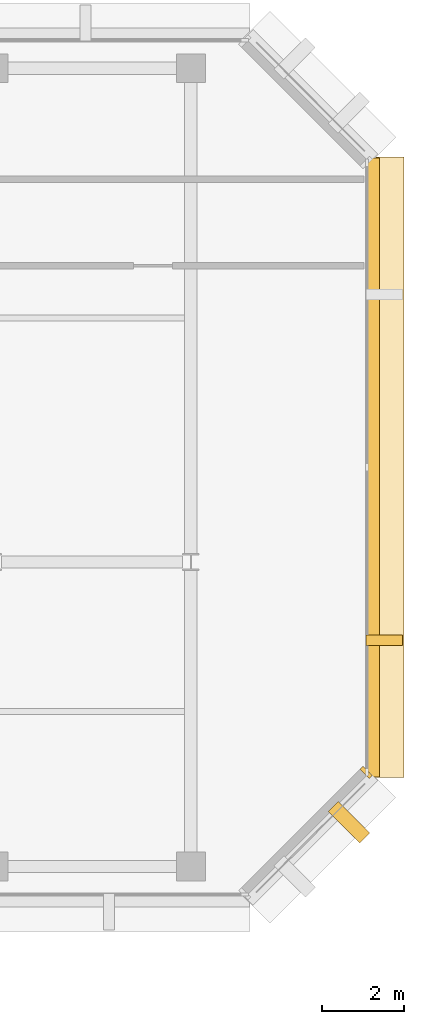
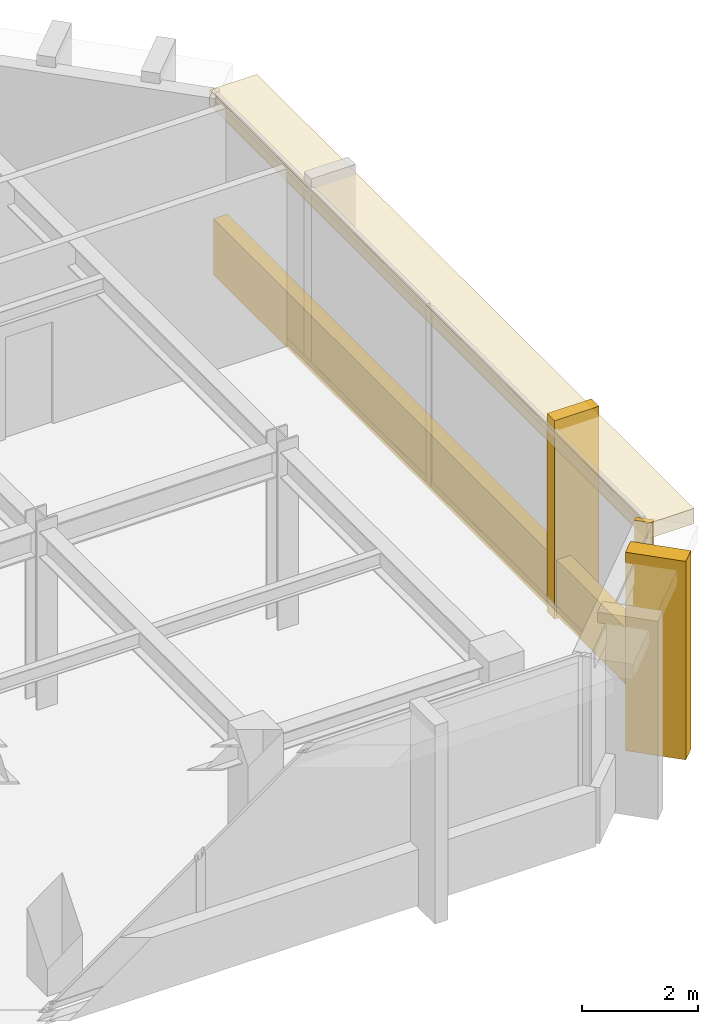
# One storey, part 10 of 12: 5 coverings.
"""IFC4 building model written with IfcOpenShell, lengths in metres."""

from ifc_helpers import new_model, si_unit, direction, frame, origin, origin_2d, place, context, subcontext, project, spatial, rectangle, extrude, material, layer, layer_set, type_object, element, save


model = new_model("IFC4")

# Units and contexts
model_context = context("Model", 3, precision=1e-05, world=origin(), true_north=direction((0.0, 1.0)))
body_context = subcontext(model_context, "Body", "Model", "MODEL_VIEW")
ifc_project = project(units=[si_unit("LENGTHUNIT", "METRE"), si_unit("AREAUNIT", "SQUARE_METRE"), si_unit("VOLUMEUNIT", "CUBIC_METRE"), si_unit("PLANEANGLEUNIT", "RADIAN"), si_unit("MASSUNIT", "GRAM", prefix="KILO")], contexts=[model_context])

# Site, building, storey
site_placement = place(None, origin())
site = spatial("IfcSite", under=ifc_project, at=site_placement, CompositionType="ELEMENT")
building_placement = place(site_placement, origin())
building = spatial("IfcBuilding", under=site, at=building_placement, Name="Kefirva Bronze Tower", CompositionType="ELEMENT")
storey_placement = place(building_placement, frame((0.0, 0.0, 339.570068359375)))
storey = spatial("IfcBuildingStorey", under=building, at=storey_placement, Name="L83", CompositionType="ELEMENT", Elevation=339.570068359375)

# Coverings
ifc_material = material(Name="Bronze anodised aluminium", Category="aluminium")
ifc_layer_1 = layer(ifc_material, 0.02001953125, Name="Bronze anodised aluminium")
ifc_layer_set_1 = layer_set([ifc_layer_1], Name="Bronze anodised aluminium")
covering_type_1 = type_object("IfcCoveringType", Name="Anodised Bronze Spandrel Cladding 20mm", PredefinedType="CLADDING", material=ifc_layer_set_1)
covering_1_placement = place(storey_placement, frame((44.26220703125, 28.08837890625, 0.0), z_axis=(0.0, 0.0, 1.0), x_axis=(0.707106781187, 0.707106781187, 0.0)))
element("IfcCovering", 1, at=covering_1_placement, inside=storey, type_object=covering_type_1, Name="L83 Facade Joint Closure Panel 7E", PredefinedType="CLADDING", context=body_context, shape_type="SweptSolid", body=[
    extrude(rectangle(XDim=0.10009765625, YDim=0.320068359375, at=origin_2d()), origin(), (0.0, 0.0, 1.0), 3.739990234375),
])
covering_2_placement = place(storey_placement, frame((44.43994140625, 35.5, -0.16015625), z_axis=(0.0, 0.0, 1.0), x_axis=(0.0, 1.0, 0.0)))
element("IfcCovering", 2, at=covering_2_placement, inside=storey, type_object=covering_type_1, Name="L83 Streamline Horizontal Spandrel Band 10", PredefinedType="CLADDING", context=body_context, shape_type="SweptSolid", body=[
    extrude(rectangle(XDim=15.0400390625, YDim=0.280029296875, at=origin_2d()), origin(), (0.0, 0.0, 1.0), 1.179931640625),
])
ifc_layer_2 = layer(ifc_material, 0.179931640625, Name="Bronze anodised aluminium")
ifc_layer_set_2 = layer_set([ifc_layer_2], Name="Bronze anodised aluminium")
covering_type_2 = type_object("IfcCoveringType", Name="Streamline Bronze Sunshade Eyebrow Cladding 180mm", PredefinedType="CLADDING", material=ifc_layer_set_2)
covering_3_placement = place(storey_placement, frame((44.7099609375, 35.5, 3.419921875), z_axis=(0.0, 0.0, 1.0), x_axis=(0.0, 1.0, 0.0)))
element("IfcCovering", 3, at=covering_3_placement, inside=storey, type_object=covering_type_2, Name="L83 Streamline Bronze Sunshade Eyebrow 10", PredefinedType="CLADDING", context=body_context, shape_type="SweptSolid", body=[
    extrude(rectangle(XDim=15.080078125, YDim=0.93994140625, at=origin_2d()), origin(), (0.0, 0.0, 1.0), 0.320068359375),
])
ifc_layer_3 = layer(ifc_material, 0.260009765625, Name="Bronze anodised aluminium")
ifc_layer_set_3 = layer_set([ifc_layer_3], Name="Bronze anodised aluminium")
covering_type_3 = type_object("IfcCoveringType", Name="Unbroken Bronze Buttress Fin Cladding 260mm", PredefinedType="CLADDING", material=ifc_layer_set_3)
covering_4_placement = place(storey_placement, frame((43.8427734375, 26.877197265625, -0.22021484375), z_axis=(0.0, 0.0, 1.0), x_axis=(0.707106781187, 0.707106781187, 0.0)))
element("IfcCovering", 4, at=covering_4_placement, inside=storey, type_object=covering_type_3, Name="L83 Chamfered Corner Buttress Fin Cladding 12", PredefinedType="CLADDING", context=body_context, shape_type="SweptSolid", body=[
    extrude(rectangle(XDim=0.340087890625, YDim=1.080078125, at=origin_2d()), origin(), (0.0, 0.0, 1.0), 4.179931640625),
])
covering_5_placement = place(storey_placement, frame((44.699951171875, 31.300048828125, -0.22021484375), z_axis=(0.0, 0.0, 1.0), x_axis=(0.0, 1.0, 0.0)))
element("IfcCovering", 5, at=covering_5_placement, inside=storey, type_object=covering_type_3, Name="L83 Unbroken Vertical Bronze Rib Fin 13", PredefinedType="CLADDING", context=body_context, shape_type="SweptSolid", body=[
    extrude(rectangle(XDim=0.260009765625, YDim=0.8798828125, at=origin_2d()), origin(), (0.0, 0.0, 1.0), 4.179931640625),
])

save(model, "model.ifc")
